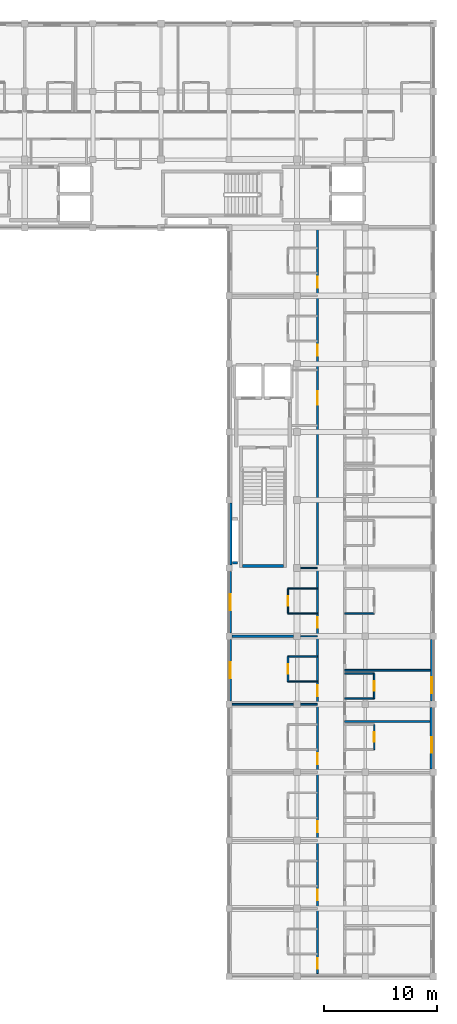
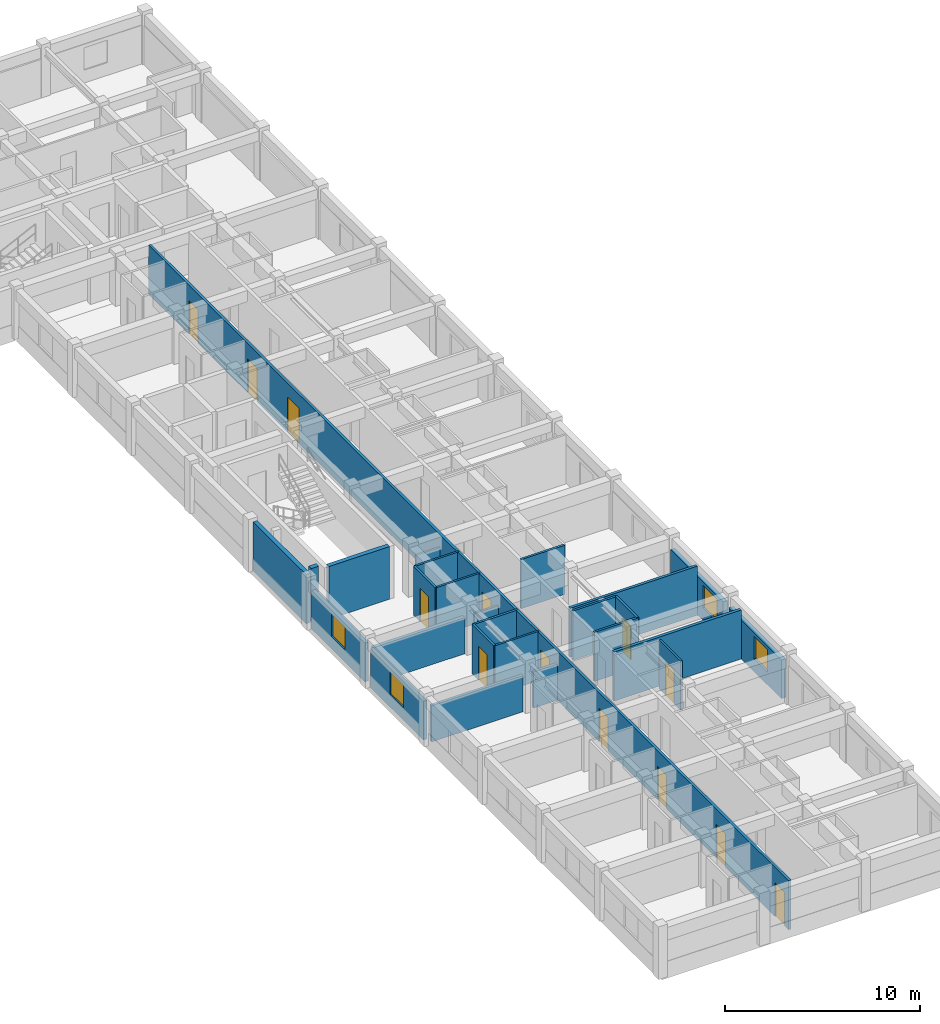
# One storey, part 5 of 21: 26 walls, 13 doors, 4 windows, 17 openings.
"""IFC4 building model written with IfcOpenShell, lengths in metres."""

from ifc_helpers import new_model, si_unit, direction, frame, frame_2d, origin, place, context, subcontext, project, spatial, rectangle, extrude, material, layer, layer_set, type_object, element, fill, save


model = new_model("IFC4")

# Units and contexts
model_context = context("Model", 3, precision=1e-05, world=origin(), true_north=direction((0.0, 1.0)))
body_context = subcontext(model_context, "Body", "Model", "MODEL_VIEW")
ifc_project = project(units=[si_unit("LENGTHUNIT", "METRE"), si_unit("AREAUNIT", "SQUARE_METRE"), si_unit("VOLUMEUNIT", "CUBIC_METRE"), si_unit("PLANEANGLEUNIT", "RADIAN"), si_unit("MASSUNIT", "GRAM", prefix="KILO"), si_unit("THERMODYNAMICTEMPERATUREUNIT", "KELVIN"), si_unit("POWERUNIT", "WATT")], contexts=[model_context])

# Site, building, storey
site_placement = place(None, origin())
site = spatial("IfcSite", under=ifc_project, at=site_placement, CompositionType="ELEMENT")
building_placement = place(site_placement, origin())
building = spatial("IfcBuilding", under=site, at=building_placement, Name="Phaisarnlok Congress Hotel", CompositionType="ELEMENT")
storey_placement = place(building_placement, frame((0.0, 0.0, 31.5)))
storey = spatial("IfcBuildingStorey", under=building, at=storey_placement, Name="L07", CompositionType="ELEMENT", Elevation=31.5)

# Wall, opening, window
ifc_material_1 = material(Name="Concrete C40/50", Category="concrete")
ifc_layer_1 = layer(ifc_material_1, 0.2099609375, Name="Concrete C40/50")
ifc_layer_set_1 = layer_set([ifc_layer_1], Name="Concrete C40/50")
wall_type_1 = type_object("IfcWallType", Name="WL-EXT-210", PredefinedType="SOLIDWALL", material=ifc_layer_set_1)
wall_1_placement = place(storey_placement, frame((162.10498046875, 71.719970703125, 0.0), z_axis=(0.0, 0.0, 1.0), x_axis=(0.0, -1.0, 0.0)))
wall_1 = element("IfcWall", 1, at=wall_1_placement, inside=storey, type_object=wall_type_1, Name="Exterior wall EW-07 (L07)", PredefinedType="SOLIDWALL", context=body_context, shape_type="SweptSolid", body=[
    extrude(rectangle(XDim=5.43994140625, YDim=0.2099609375, at=frame_2d((2.719970703125, 0.0))), origin(), (0.0, 0.0, 1.0), 2.419921875),
])
opening_1_placement = place(wall_1_placement, frame((2.02001953125, 0.0, 0.800048828125)))
opening_1 = element("IfcOpeningElement", 2, at=opening_1_placement, cuts=wall_1, Name="Opening W-13", PredefinedType="OPENING", context=body_context, shape_type="SweptSolid", body=[
    extrude(rectangle(XDim=1.39990234375, YDim=1.39990234375, at=frame_2d((0.699951171875, 0.699951171875))), frame((0.0, 0.114990234375, 0.0), z_axis=(0.0, -1.0, 0.0), x_axis=(1.0, 0.0, 0.0)), (0.0, 0.0, 1.0), 0.22998046875),
])
ifc_material_2 = material(Name="Thermally Broken Aluminium & Low-E Double Glazing", Category="aluminium")
window_type = type_object("IfcWindowType", Name="WIN-POD-1400", PartitioningType="SINGLE_PANEL", PredefinedType="WINDOW", material=ifc_material_2)
window_1_placement = place(opening_1_placement, origin())
window_1 = element("IfcWindow", 3, at=window_1_placement, inside=storey, type_object=window_type, Name="Guestroom window W-13 (L07)", OverallHeight=1.39990234375, OverallWidth=1.39990234375, PartitioningType="SINGLE_PANEL", PredefinedType="WINDOW", context=body_context, shape_type="SweptSolid", body=[
    extrude(rectangle(XDim=1.39990234375, YDim=1.39990234375, at=frame_2d((0.699951171875, 0.699951171875))), frame((0.0, 0.030029296875, 0.0), z_axis=(0.0, -1.0, 0.0), x_axis=(1.0, 0.0, 0.0)), (0.0, 0.0, 1.0), 0.06005859375),
])
fill(opening_1, window_1)

ifc_layer_2 = layer(ifc_material_1, 0.22998046875, Name="Concrete C40/50")
ifc_layer_set_2 = layer_set([ifc_layer_2], Name="Concrete C40/50")
wall_type_2 = type_object("IfcWallType", Name="WL-EXT-230", PredefinedType="SOLIDWALL", material=ifc_layer_set_2)
wall_2_placement = place(storey_placement, frame((162.114990234375, 77.719970703125, 0.0), z_axis=(0.0, 0.0, 1.0), x_axis=(0.0, -1.0, 0.0)))
wall_2 = element("IfcWall", 4, at=wall_2_placement, inside=storey, type_object=wall_type_2, Name="Exterior wall EW-06 (L07)", PredefinedType="SOLIDWALL", context=body_context, shape_type="SweptSolid", body=[
    extrude(rectangle(XDim=5.43994140625, YDim=0.22998046875, at=frame_2d((2.719970703125, 0.0))), origin(), (0.0, 0.0, 1.0), 2.419921875),
])
opening_2_placement = place(wall_2_placement, frame((2.02001953125, 0.0, 0.800048828125)))
opening_2 = element("IfcOpeningElement", 5, at=opening_2_placement, cuts=wall_2, Name="Opening W-13", PredefinedType="OPENING", context=body_context, shape_type="SweptSolid", body=[
    extrude(rectangle(XDim=1.39990234375, YDim=1.39990234375, at=frame_2d((0.699951171875, 0.699951171875))), frame((0.0, 0.125, 0.0), z_axis=(0.0, -1.0, 0.0), x_axis=(1.0, 0.0, 0.0)), (0.0, 0.0, 1.0), 0.25),
])
window_2_placement = place(opening_2_placement, origin())
window_2 = element("IfcWindow", 6, at=window_2_placement, inside=storey, type_object=window_type, Name="Guestroom window W-13 (L07)", OverallHeight=1.39990234375, OverallWidth=1.39990234375, PartitioningType="SINGLE_PANEL", PredefinedType="WINDOW", context=body_context, shape_type="SweptSolid", body=[
    extrude(rectangle(XDim=1.39990234375, YDim=1.39990234375, at=frame_2d((0.699951171875, 0.699951171875))), frame((0.0, 0.030029296875, 0.0), z_axis=(0.0, -1.0, 0.0), x_axis=(1.0, 0.0, 0.0)), (0.0, 0.0, 1.0), 0.06005859375),
])
fill(opening_2, window_2)

ifc_layer_3 = layer(ifc_material_1, 0.25, Name="Concrete C40/50")
ifc_layer_set_3 = layer_set([ifc_layer_3], Name="Concrete C40/50")
wall_type_3 = type_object("IfcWallType", Name="WL-EXT-250", PredefinedType="SOLIDWALL", material=ifc_layer_set_3)
wall_3_placement = place(storey_placement, frame((179.875, 66.304931640625, 0.0), z_axis=(0.0, 0.0, 1.0), x_axis=(0.0, 1.0, 0.0)))
wall_3 = element("IfcWall", 7, at=wall_3_placement, inside=storey, type_object=wall_type_3, Name="Exterior wall EW-05 (L07)", PredefinedType="SOLIDWALL", context=body_context, shape_type="SweptSolid", body=[
    extrude(rectangle(XDim=5.39013671875, YDim=0.25, at=frame_2d((2.695068359375, 0.0))), origin(), (0.0, 0.0, 1.0), 2.419921875),
])
opening_3_placement = place(wall_3_placement, frame((0.656982421875, 0.0, 0.800048828125)))
opening_3 = element("IfcOpeningElement", 8, at=opening_3_placement, cuts=wall_3, Name="Opening W-13", PredefinedType="OPENING", context=body_context, shape_type="SweptSolid", body=[
    extrude(rectangle(XDim=1.39990234375, YDim=1.39990234375, at=frame_2d((0.699951171875, 0.699951171875))), frame((0.0, 0.135009765625, 0.0), z_axis=(0.0, -1.0, 0.0), x_axis=(1.0, 0.0, 0.0)), (0.0, 0.0, 1.0), 0.27001953125),
])
window_3_placement = place(opening_3_placement, origin())
window_3 = element("IfcWindow", 9, at=window_3_placement, inside=storey, type_object=window_type, Name="Guestroom window W-13 (L07)", OverallHeight=1.39990234375, OverallWidth=1.39990234375, PartitioningType="SINGLE_PANEL", PredefinedType="WINDOW", context=body_context, shape_type="SweptSolid", body=[
    extrude(rectangle(XDim=1.39990234375, YDim=1.39990234375, at=frame_2d((0.699951171875, 0.699951171875))), frame((0.0, 0.030029296875, 0.0), z_axis=(0.0, -1.0, 0.0), x_axis=(1.0, 0.0, 0.0)), (0.0, 0.0, 1.0), 0.06005859375),
])
fill(opening_3, window_3)

# Wall
wall_4_placement = place(storey_placement, frame((162.125, 83.719970703125, 0.0), z_axis=(0.0, 0.0, 1.0), x_axis=(0.0, -1.0, 0.0)))
element("IfcWall", 10, at=wall_4_placement, inside=storey, type_object=wall_type_3, Name="Exterior wall EW-05 (L07)", PredefinedType="SOLIDWALL", context=body_context, shape_type="SweptSolid", body=[
    extrude(rectangle(XDim=5.43994140625, YDim=0.25, at=frame_2d((2.719970703125, 0.0))), origin(), (0.0, 0.0, 1.0), 3.070068359375),
])

# Wall, opening, window
ifc_layer_4 = layer(ifc_material_1, 0.27001953125, Name="Concrete C40/50")
ifc_layer_set_4 = layer_set([ifc_layer_4], Name="Concrete C40/50")
wall_type_4 = type_object("IfcWallType", Name="WL-EXT-270", PredefinedType="SOLIDWALL", material=ifc_layer_set_4)
wall_5_placement = place(storey_placement, frame((179.864990234375, 60.304931640625, 0.0), z_axis=(0.0, 0.0, 1.0), x_axis=(0.0, 1.0, 0.0)))
wall_5 = element("IfcWall", 11, at=wall_5_placement, inside=storey, type_object=wall_type_4, Name="Exterior wall EW-04 (L07)", PredefinedType="SOLIDWALL", context=body_context, shape_type="SweptSolid", body=[
    extrude(rectangle(XDim=5.39013671875, YDim=0.27001953125, at=frame_2d((2.695068359375, 0.0))), origin(), (0.0, 0.0, 1.0), 2.419921875),
])
opening_4_placement = place(wall_5_placement, frame((1.406982421875, 0.0, 0.800048828125)))
opening_4 = element("IfcOpeningElement", 12, at=opening_4_placement, cuts=wall_5, Name="Opening W-13", PredefinedType="OPENING", context=body_context, shape_type="SweptSolid", body=[
    extrude(rectangle(XDim=1.39990234375, YDim=1.39990234375, at=frame_2d((0.699951171875, 0.699951171875))), frame((0.0, 0.14501953125, 0.0), z_axis=(0.0, -1.0, 0.0), x_axis=(1.0, 0.0, 0.0)), (0.0, 0.0, 1.0), 0.2900390625),
])
window_4_placement = place(opening_4_placement, origin())
window_4 = element("IfcWindow", 13, at=window_4_placement, inside=storey, type_object=window_type, Name="Guestroom window W-13 (L07)", OverallHeight=1.39990234375, OverallWidth=1.39990234375, PartitioningType="SINGLE_PANEL", PredefinedType="WINDOW", context=body_context, shape_type="SweptSolid", body=[
    extrude(rectangle(XDim=1.39990234375, YDim=1.39990234375, at=frame_2d((0.699951171875, 0.699951171875))), frame((0.0, 0.030029296875, 0.0), z_axis=(0.0, -1.0, 0.0), x_axis=(1.0, 0.0, 0.0)), (0.0, 0.0, 1.0), 0.06005859375),
])
fill(opening_4, window_4)

# Walls
ifc_material_3 = material(Name="Service Riser Shaftwall Partition", Category="gypsum")
ifc_layer_5 = layer(ifc_material_3, 0.10498046875, Name="Service Riser Shaftwall Partition")
ifc_layer_set_5 = layer_set([ifc_layer_5], Name="Service Riser Shaftwall Partition")
wall_type_5 = type_object("IfcWallType", Name="WL-INT-105", PredefinedType="PARTITIONING", material=ifc_layer_set_5)
for number, where, z_axis, x_axis, name in (
    (14, (168.304931640625, 72.0, 0.0), (0.0, 0.0, 1.0), (1.0, 0.0, 0.0), "Interior partition wall IW-08 (L07)"),
    (15, (168.304931640625, 78.0, 0.0), (0.0, 0.0, 1.0), (1.0, 0.0, 0.0), "Interior partition wall IW-08 (L07)"),
):
    element("IfcWall", number, at=place(storey_placement, frame(where, z_axis=z_axis, x_axis=x_axis)), inside=storey, type_object=wall_type_5, Name=name, PredefinedType="PARTITIONING", context=body_context, shape_type="SweptSolid", body=[
        extrude(rectangle(XDim=1.4951171875, YDim=0.10498046875, at=frame_2d((0.74755859375, 0.0))), origin(), (0.0, 0.0, 1.0), 2.27001953125),
    ])

# Wall, opening, door
ifc_material_4 = material(Name="Lightweight Metal-Stud Gypsum Partition", Category="gypsum")
ifc_layer_6 = layer(ifc_material_4, 0.1201171875, Name="Lightweight Metal-Stud Gypsum Partition")
ifc_layer_set_6 = layer_set([ifc_layer_6], Name="Lightweight Metal-Stud Gypsum Partition")
wall_type_6 = type_object("IfcWallType", Name="WL-INT-120", PredefinedType="PARTITIONING", material=ifc_layer_set_6)
wall_6_placement = place(storey_placement, frame((167.199951171875, 74.0, 0.0), z_axis=(0.0, 0.0, 1.0), x_axis=(0.0, 1.0, 0.0)))
wall_6 = element("IfcWall", 16, at=wall_6_placement, inside=storey, type_object=wall_type_6, Name="Interior partition wall IW-07 (L07)", PredefinedType="PARTITIONING", context=body_context, shape_type="SweptSolid", body=[
    extrude(rectangle(XDim=2.199951171875, YDim=0.1201171875, at=frame_2d((1.10009765625, 0.0))), origin(), (0.0, 0.0, 1.0), 3.070068359375),
])
opening_5_placement = place(wall_6_placement, frame((0.675048828125, 0.0, 0.0)))
opening_5 = element("IfcOpeningElement", 17, at=opening_5_placement, cuts=wall_6, Name="Opening D-0392", PredefinedType="OPENING", context=body_context, shape_type="SweptSolid", body=[
    extrude(rectangle(XDim=0.85009765625, YDim=2.10009765625, at=frame_2d((0.425048828125, 1.050048828125))), frame((0.0, 0.070068359375, 0.0), z_axis=(0.0, -1.0, 0.0), x_axis=(1.0, 0.0, 0.0)), (0.0, 0.0, 1.0), 0.14013671875),
])
ifc_material_5 = material(Name="Moisture-Resistant Lacquered Timber", Category="wood")
door_type_1 = type_object("IfcDoorType", Name="DR-BATH-850", OperationType="NOTDEFINED", PredefinedType="DOOR", material=ifc_material_5)
door_1_placement = place(opening_5_placement, origin())
door_1 = element("IfcDoor", 18, at=door_1_placement, inside=storey, type_object=door_type_1, Name="Interior door D-0392 (L07)", OperationType="SINGLE_SWING_RIGHT", OverallHeight=2.10009765625, OverallWidth=0.85009765625, PredefinedType="DOOR", context=body_context, shape_type="SweptSolid", body=[
    extrude(rectangle(XDim=0.85009765625, YDim=2.10009765625, at=frame_2d((0.425048828125, 1.050048828125))), frame((0.0, 0.02490234375, 0.0), z_axis=(0.0, -1.0, 0.0), x_axis=(1.0, 0.0, 0.0)), (0.0, 0.0, 1.0), 0.050048828125),
])
fill(opening_5, door_1)

wall_7_placement = place(storey_placement, frame((174.800048828125, 62.0, 0.0), z_axis=(0.0, 0.0, 1.0), x_axis=(0.0, 1.0, 0.0)))
wall_7 = element("IfcWall", 19, at=wall_7_placement, inside=storey, type_object=wall_type_6, Name="Interior partition wall IW-07 (L07)", PredefinedType="PARTITIONING", context=body_context, shape_type="SweptSolid", body=[
    extrude(rectangle(XDim=2.199951171875, YDim=0.1201171875, at=frame_2d((1.10009765625, 0.0))), origin(), (0.0, 0.0, 1.0), 3.070068359375),
])
opening_6_placement = place(wall_7_placement, frame((0.675048828125, 0.0, 0.0)))
opening_6 = element("IfcOpeningElement", 20, at=opening_6_placement, cuts=wall_7, Name="Opening D-0365", PredefinedType="OPENING", context=body_context, shape_type="SweptSolid", body=[
    extrude(rectangle(XDim=0.85009765625, YDim=2.10009765625, at=frame_2d((0.425048828125, 1.050048828125))), frame((0.0, 0.070068359375, 0.0), z_axis=(0.0, -1.0, 0.0), x_axis=(1.0, 0.0, 0.0)), (0.0, 0.0, 1.0), 0.14013671875),
])
door_2_placement = place(opening_6_placement, origin())
door_2 = element("IfcDoor", 21, at=door_2_placement, inside=storey, type_object=door_type_1, Name="Interior door D-0365 (L07)", OperationType="SINGLE_SWING_LEFT", OverallHeight=2.10009765625, OverallWidth=0.85009765625, PredefinedType="DOOR", context=body_context, shape_type="SweptSolid", body=[
    extrude(rectangle(XDim=0.85009765625, YDim=2.10009765625, at=frame_2d((0.425048828125, 1.050048828125))), frame((0.0, 0.02490234375, 0.0), z_axis=(0.0, -1.0, 0.0), x_axis=(1.0, 0.0, 0.0)), (0.0, 0.0, 1.0), 0.050048828125),
])
fill(opening_6, door_2)

# Walls
for number, where, z_axis, x_axis, name in (
    (22, (167.199951171875, 68.0, 0.0), (0.0, 0.0, 1.0), (1.0, 0.0, 0.0), "Interior partition wall IW-07 (L07)"),
    (23, (167.199951171875, 74.0, 0.0), (0.0, 0.0, 1.0), (1.0, 0.0, 0.0), "Interior partition wall IW-07 (L07)"),
    (24, (167.199951171875, 76.199951171875, 0.0), (0.0, 0.0, 1.0), (1.0, 0.0, 0.0), "Interior partition wall IW-07 (L07)"),
):
    element("IfcWall", number, at=place(storey_placement, frame(where, z_axis=z_axis, x_axis=x_axis)), inside=storey, type_object=wall_type_6, Name=name, PredefinedType="PARTITIONING", context=body_context, shape_type="SweptSolid", body=[
        extrude(rectangle(XDim=2.60009765625, YDim=0.1201171875, at=frame_2d((1.300048828125, 0.0))), origin(), (0.0, 0.0, 1.0), 3.070068359375),
    ])

# Wall, opening, door
ifc_material_6 = material(Name="Moisture-Resistant Gypsum Partition", Category="gypsum")
ifc_layer_7 = layer(ifc_material_6, 0.135009765625, Name="Moisture-Resistant Gypsum Partition")
ifc_layer_set_7 = layer_set([ifc_layer_7], Name="Moisture-Resistant Gypsum Partition")
wall_type_7 = type_object("IfcWallType", Name="WL-INT-135", PredefinedType="PARTITIONING", material=ifc_layer_set_7)
wall_8_placement = place(storey_placement, frame((167.199951171875, 68.0, 0.0), z_axis=(0.0, 0.0, 1.0), x_axis=(0.0, 1.0, 0.0)))
wall_8 = element("IfcWall", 25, at=wall_8_placement, inside=storey, type_object=wall_type_7, Name="Interior partition wall IW-06 (L07)", PredefinedType="PARTITIONING", context=body_context, shape_type="SweptSolid", body=[
    extrude(rectangle(XDim=2.199951171875, YDim=0.135009765625, at=frame_2d((1.10009765625, 0.0))), origin(), (0.0, 0.0, 1.0), 3.070068359375),
])
opening_7_placement = place(wall_8_placement, frame((0.675048828125, 0.0, 0.0)))
opening_7 = element("IfcOpeningElement", 26, at=opening_7_placement, cuts=wall_8, Name="Opening D-0390", PredefinedType="OPENING", context=body_context, shape_type="SweptSolid", body=[
    extrude(rectangle(XDim=0.85009765625, YDim=2.10009765625, at=frame_2d((0.425048828125, 1.050048828125))), frame((0.0, 0.07763671875, 0.0), z_axis=(0.0, -1.0, 0.0), x_axis=(1.0, 0.0, 0.0)), (0.0, 0.0, 1.0), 0.155029296875),
])
door_3_placement = place(opening_7_placement, origin())
door_3 = element("IfcDoor", 27, at=door_3_placement, inside=storey, type_object=door_type_1, Name="Interior door D-0390 (L07)", OperationType="SINGLE_SWING_RIGHT", OverallHeight=2.10009765625, OverallWidth=0.85009765625, PredefinedType="DOOR", context=body_context, shape_type="SweptSolid", body=[
    extrude(rectangle(XDim=0.85009765625, YDim=2.10009765625, at=frame_2d((0.425048828125, 1.050048828125))), frame((0.0, 0.02490234375, 0.0), z_axis=(0.0, -1.0, 0.0), x_axis=(1.0, 0.0, 0.0)), (0.0, 0.0, 1.0), 0.050048828125),
])
fill(opening_7, door_3)

wall_9_placement = place(storey_placement, frame((174.800048828125, 66.5, 0.0), z_axis=(0.0, 0.0, 1.0), x_axis=(0.0, 1.0, 0.0)))
wall_9 = element("IfcWall", 28, at=wall_9_placement, inside=storey, type_object=wall_type_7, Name="Interior partition wall IW-06 (L07)", PredefinedType="PARTITIONING", context=body_context, shape_type="SweptSolid", body=[
    extrude(rectangle(XDim=2.199951171875, YDim=0.135009765625, at=frame_2d((1.10009765625, 0.0))), origin(), (0.0, 0.0, 1.0), 3.070068359375),
])
opening_8_placement = place(wall_9_placement, frame((0.675048828125, 0.0, 0.0)))
opening_8 = element("IfcOpeningElement", 29, at=opening_8_placement, cuts=wall_9, Name="Opening D-0367", PredefinedType="OPENING", context=body_context, shape_type="SweptSolid", body=[
    extrude(rectangle(XDim=0.85009765625, YDim=2.10009765625, at=frame_2d((0.425048828125, 1.050048828125))), frame((0.0, 0.07763671875, 0.0), z_axis=(0.0, -1.0, 0.0), x_axis=(1.0, 0.0, 0.0)), (0.0, 0.0, 1.0), 0.155029296875),
])
door_4_placement = place(opening_8_placement, origin())
door_4 = element("IfcDoor", 30, at=door_4_placement, inside=storey, type_object=door_type_1, Name="Interior door D-0367 (L07)", OperationType="SINGLE_SWING_LEFT", OverallHeight=2.10009765625, OverallWidth=0.85009765625, PredefinedType="DOOR", context=body_context, shape_type="SweptSolid", body=[
    extrude(rectangle(XDim=0.85009765625, YDim=2.10009765625, at=frame_2d((0.425048828125, 1.050048828125))), frame((0.0, 0.02490234375, 0.0), z_axis=(0.0, -1.0, 0.0), x_axis=(1.0, 0.0, 0.0)), (0.0, 0.0, 1.0), 0.050048828125),
])
fill(opening_8, door_4)

# Walls
for number, where, z_axis, x_axis, name in (
    (31, (172.199951171875, 66.5, 0.0), (0.0, 0.0, 1.0), (1.0, 0.0, 0.0), "Interior partition wall IW-06 (L07)"),
    (32, (172.199951171875, 68.699951171875, 0.0), (0.0, 0.0, 1.0), (1.0, 0.0, 0.0), "Interior partition wall IW-06 (L07)"),
    (33, (167.199951171875, 70.199951171875, 0.0), (0.0, 0.0, 1.0), (1.0, 0.0, 0.0), "Interior partition wall IW-06 (L07)"),
    (34, (172.199951171875, 74.0, 0.0), (0.0, 0.0, 1.0), (1.0, 0.0, 0.0), "Interior partition wall IW-06 (L07)"),
):
    element("IfcWall", number, at=place(storey_placement, frame(where, z_axis=z_axis, x_axis=x_axis)), inside=storey, type_object=wall_type_7, Name=name, PredefinedType="PARTITIONING", context=body_context, shape_type="SweptSolid", body=[
        extrude(rectangle(XDim=2.60009765625, YDim=0.135009765625, at=frame_2d((1.300048828125, 0.0))), origin(), (0.0, 0.0, 1.0), 3.070068359375),
    ])

# Wall, openings, doors
ifc_material_7 = material(Name="Acoustic Gypsum Board & Mineral Wool", Category="gypsum")
ifc_layer_8 = layer(ifc_material_7, 0.14990234375, Name="Acoustic Gypsum Board & Mineral Wool")
ifc_layer_set_8 = layer_set([ifc_layer_8], Name="Acoustic Gypsum Board & Mineral Wool")
wall_type_8 = type_object("IfcWallType", Name="WL-INT-150", PredefinedType="PARTITIONING", material=ifc_layer_set_8)
wall_10_placement = place(storey_placement, frame((169.800048828125, 42.2548828125, 0.0), z_axis=(0.0, 0.0, 1.0), x_axis=(0.0, 1.0, 0.0)))
wall_10 = element("IfcWall", 35, at=wall_10_placement, inside=storey, type_object=wall_type_8, Name="Interior partition wall IW-05 (L07)", PredefinedType="PARTITIONING", context=body_context, shape_type="SweptSolid", body=[
    extrude(rectangle(XDim=65.565185546875, YDim=0.14990234375, at=frame_2d((32.78271484375, 0.0))), origin(), (0.0, 0.0, 1.0), 3.070068359375),
])
opening_9_placement = place(wall_10_placement, frame((50.14501953125, 0.0, 0.0)))
opening_9 = element("IfcOpeningElement", 36, at=opening_9_placement, cuts=wall_10, Name="Opening D-0318", PredefinedType="OPENING", context=body_context, shape_type="SweptSolid", body=[
    extrude(rectangle(XDim=1.199951171875, YDim=2.199951171875, at=frame_2d((0.60009765625, 1.10009765625))), frame((0.0, 0.0849609375, 0.0), z_axis=(0.0, -1.0, 0.0), x_axis=(1.0, 0.0, 0.0)), (0.0, 0.0, 1.0), 0.169921875),
])
opening_10_placement = place(wall_10_placement, frame((0.419921875, 0.0, 0.0)))
opening_10 = element("IfcOpeningElement", 37, at=opening_10_placement, cuts=wall_10, Name="Opening D-0383", PredefinedType="OPENING", context=body_context, shape_type="SweptSolid", body=[
    extrude(rectangle(XDim=0.949951171875, YDim=2.10009765625, at=frame_2d((0.47509765625, 1.050048828125))), frame((0.0, 0.0849609375, 0.0), z_axis=(0.0, -1.0, 0.0), x_axis=(1.0, 0.0, 0.0)), (0.0, 0.0, 1.0), 0.169921875),
])
opening_11_placement = place(wall_10_placement, frame((6.469970703125, 0.0, 0.0)))
opening_11 = element("IfcOpeningElement", 38, at=opening_11_placement, cuts=wall_10, Name="Opening D-0385", PredefinedType="OPENING", context=body_context, shape_type="SweptSolid", body=[
    extrude(rectangle(XDim=0.949951171875, YDim=2.10009765625, at=frame_2d((0.47509765625, 1.050048828125))), frame((0.0, 0.0849609375, 0.0), z_axis=(0.0, -1.0, 0.0), x_axis=(1.0, 0.0, 0.0)), (0.0, 0.0, 1.0), 0.169921875),
])
opening_12_placement = place(wall_10_placement, frame((12.469970703125, 0.0, 0.0)))
opening_12 = element("IfcOpeningElement", 39, at=opening_12_placement, cuts=wall_10, Name="Opening D-0387", PredefinedType="OPENING", context=body_context, shape_type="SweptSolid", body=[
    extrude(rectangle(XDim=0.949951171875, YDim=2.10009765625, at=frame_2d((0.47509765625, 1.050048828125))), frame((0.0, 0.0849609375, 0.0), z_axis=(0.0, -1.0, 0.0), x_axis=(1.0, 0.0, 0.0)), (0.0, 0.0, 1.0), 0.169921875),
])
opening_13_placement = place(wall_10_placement, frame((18.469970703125, 0.0, 0.0)))
opening_13 = element("IfcOpeningElement", 40, at=opening_13_placement, cuts=wall_10, Name="Opening D-0389", PredefinedType="OPENING", context=body_context, shape_type="SweptSolid", body=[
    extrude(rectangle(XDim=0.949951171875, YDim=2.10009765625, at=frame_2d((0.47509765625, 1.050048828125))), frame((0.0, 0.0849609375, 0.0), z_axis=(0.0, -1.0, 0.0), x_axis=(1.0, 0.0, 0.0)), (0.0, 0.0, 1.0), 0.169921875),
])
opening_14_placement = place(wall_10_placement, frame((24.469970703125, 0.0, 0.0)))
opening_14 = element("IfcOpeningElement", 41, at=opening_14_placement, cuts=wall_10, Name="Opening D-0391", PredefinedType="OPENING", context=body_context, shape_type="SweptSolid", body=[
    extrude(rectangle(XDim=0.949951171875, YDim=2.10009765625, at=frame_2d((0.47509765625, 1.050048828125))), frame((0.0, 0.0849609375, 0.0), z_axis=(0.0, -1.0, 0.0), x_axis=(1.0, 0.0, 0.0)), (0.0, 0.0, 1.0), 0.169921875),
])
opening_15_placement = place(wall_10_placement, frame((30.469970703125, 0.0, 0.0)))
opening_15 = element("IfcOpeningElement", 42, at=opening_15_placement, cuts=wall_10, Name="Opening D-0393", PredefinedType="OPENING", context=body_context, shape_type="SweptSolid", body=[
    extrude(rectangle(XDim=0.949951171875, YDim=2.10009765625, at=frame_2d((0.47509765625, 1.050048828125))), frame((0.0, 0.0849609375, 0.0), z_axis=(0.0, -1.0, 0.0), x_axis=(1.0, 0.0, 0.0)), (0.0, 0.0, 1.0), 0.169921875),
])
opening_16_placement = place(wall_10_placement, frame((54.469970703125, 0.0, 0.0)))
opening_16 = element("IfcOpeningElement", 43, at=opening_16_placement, cuts=wall_10, Name="Opening D-0395", PredefinedType="OPENING", context=body_context, shape_type="SweptSolid", body=[
    extrude(rectangle(XDim=0.949951171875, YDim=2.10009765625, at=frame_2d((0.47509765625, 1.050048828125))), frame((0.0, 0.0849609375, 0.0), z_axis=(0.0, -1.0, 0.0), x_axis=(1.0, 0.0, 0.0)), (0.0, 0.0, 1.0), 0.169921875),
])
opening_17_placement = place(wall_10_placement, frame((60.469970703125, 0.0, 0.0)))
opening_17 = element("IfcOpeningElement", 44, at=opening_17_placement, cuts=wall_10, Name="Opening D-0397", PredefinedType="OPENING", context=body_context, shape_type="SweptSolid", body=[
    extrude(rectangle(XDim=0.949951171875, YDim=2.10009765625, at=frame_2d((0.47509765625, 1.050048828125))), frame((0.0, 0.0849609375, 0.0), z_axis=(0.0, -1.0, 0.0), x_axis=(1.0, 0.0, 0.0)), (0.0, 0.0, 1.0), 0.169921875),
])
ifc_material_8 = material(Name="Acoustic Solid-Core Teak Veneer", Category="wood")
door_type_2 = type_object("IfcDoorType", Name="DR-FD30-950", OperationType="NOTDEFINED", PredefinedType="DOOR", material=ifc_material_8)
door_5_placement = place(opening_10_placement, origin())
door_5 = element("IfcDoor", 45, at=door_5_placement, inside=storey, type_object=door_type_2, Name="Interior door D-0383 (L07)", OperationType="SINGLE_SWING_LEFT", OverallHeight=2.10009765625, OverallWidth=0.949951171875, PredefinedType="DOOR", context=body_context, shape_type="SweptSolid", body=[
    extrude(rectangle(XDim=0.949951171875, YDim=2.10009765625, at=frame_2d((0.47509765625, 1.050048828125))), frame((0.0, 0.02490234375, 0.0), z_axis=(0.0, -1.0, 0.0), x_axis=(1.0, 0.0, 0.0)), (0.0, 0.0, 1.0), 0.050048828125),
])
fill(opening_10, door_5)
door_6_placement = place(opening_11_placement, origin())
door_6 = element("IfcDoor", 46, at=door_6_placement, inside=storey, type_object=door_type_2, Name="Interior door D-0385 (L07)", OperationType="SINGLE_SWING_LEFT", OverallHeight=2.10009765625, OverallWidth=0.949951171875, PredefinedType="DOOR", context=body_context, shape_type="SweptSolid", body=[
    extrude(rectangle(XDim=0.949951171875, YDim=2.10009765625, at=frame_2d((0.47509765625, 1.050048828125))), frame((0.0, 0.02490234375, 0.0), z_axis=(0.0, -1.0, 0.0), x_axis=(1.0, 0.0, 0.0)), (0.0, 0.0, 1.0), 0.050048828125),
])
fill(opening_11, door_6)
door_7_placement = place(opening_12_placement, origin())
door_7 = element("IfcDoor", 47, at=door_7_placement, inside=storey, type_object=door_type_2, Name="Interior door D-0387 (L07)", OperationType="SINGLE_SWING_LEFT", OverallHeight=2.10009765625, OverallWidth=0.949951171875, PredefinedType="DOOR", context=body_context, shape_type="SweptSolid", body=[
    extrude(rectangle(XDim=0.949951171875, YDim=2.10009765625, at=frame_2d((0.47509765625, 1.050048828125))), frame((0.0, 0.02490234375, 0.0), z_axis=(0.0, -1.0, 0.0), x_axis=(1.0, 0.0, 0.0)), (0.0, 0.0, 1.0), 0.050048828125),
])
fill(opening_12, door_7)
door_8_placement = place(opening_13_placement, origin())
door_8 = element("IfcDoor", 48, at=door_8_placement, inside=storey, type_object=door_type_2, Name="Interior door D-0389 (L07)", OperationType="SINGLE_SWING_LEFT", OverallHeight=2.10009765625, OverallWidth=0.949951171875, PredefinedType="DOOR", context=body_context, shape_type="SweptSolid", body=[
    extrude(rectangle(XDim=0.949951171875, YDim=2.10009765625, at=frame_2d((0.47509765625, 1.050048828125))), frame((0.0, 0.02490234375, 0.0), z_axis=(0.0, -1.0, 0.0), x_axis=(1.0, 0.0, 0.0)), (0.0, 0.0, 1.0), 0.050048828125),
])
fill(opening_13, door_8)
door_9_placement = place(opening_14_placement, origin())
door_9 = element("IfcDoor", 49, at=door_9_placement, inside=storey, type_object=door_type_2, Name="Interior door D-0391 (L07)", OperationType="SINGLE_SWING_LEFT", OverallHeight=2.10009765625, OverallWidth=0.949951171875, PredefinedType="DOOR", context=body_context, shape_type="SweptSolid", body=[
    extrude(rectangle(XDim=0.949951171875, YDim=2.10009765625, at=frame_2d((0.47509765625, 1.050048828125))), frame((0.0, 0.02490234375, 0.0), z_axis=(0.0, -1.0, 0.0), x_axis=(1.0, 0.0, 0.0)), (0.0, 0.0, 1.0), 0.050048828125),
])
fill(opening_14, door_9)
door_10_placement = place(opening_15_placement, origin())
door_10 = element("IfcDoor", 50, at=door_10_placement, inside=storey, type_object=door_type_2, Name="Interior door D-0393 (L07)", OperationType="SINGLE_SWING_LEFT", OverallHeight=2.10009765625, OverallWidth=0.949951171875, PredefinedType="DOOR", context=body_context, shape_type="SweptSolid", body=[
    extrude(rectangle(XDim=0.949951171875, YDim=2.10009765625, at=frame_2d((0.47509765625, 1.050048828125))), frame((0.0, 0.02490234375, 0.0), z_axis=(0.0, -1.0, 0.0), x_axis=(1.0, 0.0, 0.0)), (0.0, 0.0, 1.0), 0.050048828125),
])
fill(opening_15, door_10)
door_11_placement = place(opening_16_placement, origin())
door_11 = element("IfcDoor", 51, at=door_11_placement, inside=storey, type_object=door_type_2, Name="Interior door D-0395 (L07)", OperationType="SINGLE_SWING_LEFT", OverallHeight=2.10009765625, OverallWidth=0.949951171875, PredefinedType="DOOR", context=body_context, shape_type="SweptSolid", body=[
    extrude(rectangle(XDim=0.949951171875, YDim=2.10009765625, at=frame_2d((0.47509765625, 1.050048828125))), frame((0.0, 0.02490234375, 0.0), z_axis=(0.0, -1.0, 0.0), x_axis=(1.0, 0.0, 0.0)), (0.0, 0.0, 1.0), 0.050048828125),
])
fill(opening_16, door_11)
door_12_placement = place(opening_17_placement, origin())
door_12 = element("IfcDoor", 52, at=door_12_placement, inside=storey, type_object=door_type_2, Name="Interior door D-0397 (L07)", OperationType="SINGLE_SWING_LEFT", OverallHeight=2.10009765625, OverallWidth=0.949951171875, PredefinedType="DOOR", context=body_context, shape_type="SweptSolid", body=[
    extrude(rectangle(XDim=0.949951171875, YDim=2.10009765625, at=frame_2d((0.47509765625, 1.050048828125))), frame((0.0, 0.02490234375, 0.0), z_axis=(0.0, -1.0, 0.0), x_axis=(1.0, 0.0, 0.0)), (0.0, 0.0, 1.0), 0.050048828125),
])
fill(opening_17, door_12)
ifc_material_9 = material(Name="Fire-Rated Steel Frame & Timber Leaf", Category="steel")
door_type_3 = type_object("IfcDoorType", Name="DR-FD60-1200", OperationType="NOTDEFINED", PredefinedType="DOOR", material=ifc_material_9)
door_13_placement = place(opening_9_placement, origin())
door_13 = element("IfcDoor", 53, at=door_13_placement, inside=storey, type_object=door_type_3, Name="Interior door D-0318 (L07)", OperationType="SINGLE_SWING_LEFT", OverallHeight=2.199951171875, OverallWidth=1.199951171875, PredefinedType="DOOR", context=body_context, shape_type="SweptSolid", body=[
    extrude(rectangle(XDim=1.199951171875, YDim=2.199951171875, at=frame_2d((0.60009765625, 1.10009765625))), frame((0.0, 0.02490234375, 0.0), z_axis=(0.0, -1.0, 0.0), x_axis=(1.0, 0.0, 0.0)), (0.0, 0.0, 1.0), 0.050048828125),
])
fill(opening_9, door_13)

# Walls
wall_11_placement = place(storey_placement, frame((168.304931640625, 66.0, 0.0), z_axis=(0.0, 0.0, 1.0), x_axis=(1.0, 0.0, 0.0)))
element("IfcWall", 54, at=wall_11_placement, inside=storey, type_object=wall_type_8, Name="Interior partition wall IW-05 (L07)", PredefinedType="PARTITIONING", context=body_context, shape_type="SweptSolid", body=[
    extrude(rectangle(XDim=1.4951171875, YDim=0.14990234375, at=frame_2d((0.74755859375, 0.0))), origin(), (0.0, 0.0, 1.0), 2.27001953125),
])
ifc_material_10 = material(Name="Double-Stud Acoustic Gypsum Partition", Category="gypsum")
ifc_layer_9 = layer(ifc_material_10, 0.159912109375, Name="Double-Stud Acoustic Gypsum Partition")
ifc_layer_set_9 = layer_set([ifc_layer_9], Name="Double-Stud Acoustic Gypsum Partition")
wall_type_9 = type_object("IfcWallType", Name="WL-INT-160", PredefinedType="PARTITIONING", material=ifc_layer_set_9)
wall_12_placement = place(storey_placement, frame((162.280029296875, 66.0, 0.0), z_axis=(0.0, 0.0, 1.0), x_axis=(1.0, 0.0, 0.0)))
element("IfcWall", 55, at=wall_12_placement, inside=storey, type_object=wall_type_9, Name="Interior partition wall IW-04 (L07)", PredefinedType="PARTITIONING", context=body_context, shape_type="SweptSolid", body=[
    extrude(rectangle(XDim=5.4150390625, YDim=0.159912109375, at=frame_2d((2.70751953125, 0.0))), origin(), (0.0, 0.0, 1.0), 2.27001953125),
])
wall_13_placement = place(storey_placement, frame((172.199951171875, 69.0, 0.0), z_axis=(0.0, 0.0, 1.0), x_axis=(1.0, 0.0, 0.0)))
element("IfcWall", 56, at=wall_13_placement, inside=storey, type_object=wall_type_9, Name="Interior partition wall IW-04 (L07)", PredefinedType="PARTITIONING", context=body_context, shape_type="SweptSolid", body=[
    extrude(rectangle(XDim=7.545166015625, YDim=0.159912109375, at=frame_2d((3.7724609375, 0.0))), origin(), (0.0, 0.0, 1.0), 3.070068359375),
])
ifc_material_11 = material(Name="Autoclaved Aerated Concrete Block", Category="concrete")
ifc_layer_10 = layer(ifc_material_11, 0.179931640625, Name="Autoclaved Aerated Concrete Block")
ifc_layer_set_10 = layer_set([ifc_layer_10], Name="Autoclaved Aerated Concrete Block")
wall_type_10 = type_object("IfcWallType", Name="WL-INT-180", PredefinedType="PARTITIONING", material=ifc_layer_set_10)
wall_14_placement = place(storey_placement, frame((172.199951171875, 64.5, 0.0), z_axis=(0.0, 0.0, 1.0), x_axis=(1.0, 0.0, 0.0)))
element("IfcWall", 57, at=wall_14_placement, inside=storey, type_object=wall_type_10, Name="Interior partition wall IW-03 (L07)", PredefinedType="PARTITIONING", context=body_context, shape_type="SweptSolid", body=[
    extrude(rectangle(XDim=7.525146484375, YDim=0.179931640625, at=frame_2d((3.7626953125, 0.0))), origin(), (0.0, 0.0, 1.0), 3.070068359375),
])
ifc_layer_11 = layer(ifc_material_11, 0.199951171875, Name="Autoclaved Aerated Concrete Block")
ifc_layer_set_11 = layer_set([ifc_layer_11], Name="Autoclaved Aerated Concrete Block")
wall_type_11 = type_object("IfcWallType", Name="WL-INT-200", PredefinedType="PARTITIONING", material=ifc_layer_set_11)
wall_15_placement = place(storey_placement, frame((162.280029296875, 72.0, 0.0), z_axis=(0.0, 0.0, 1.0), x_axis=(1.0, 0.0, 0.0)))
element("IfcWall", 58, at=wall_15_placement, inside=storey, type_object=wall_type_11, Name="Interior partition wall IW-02 (L07)", PredefinedType="PARTITIONING", context=body_context, shape_type="SweptSolid", body=[
    extrude(rectangle(XDim=5.4150390625, YDim=0.199951171875, at=frame_2d((2.70751953125, 0.0))), origin(), (0.0, 0.0, 1.0), 2.27001953125),
])
ifc_material_12 = material(Name="Concrete C50/60", Category="concrete")
ifc_layer_12 = layer(ifc_material_12, 0.260009765625, Name="Concrete C50/60")
ifc_layer_set_12 = layer_set([ifc_layer_12], Name="Concrete C50/60")
wall_type_12 = type_object("IfcWallType", Name="WL-SHR-260", PredefinedType="SHEAR", material=ifc_layer_set_12)
wall_16_placement = place(storey_placement, frame((163.199951171875, 78.169921875, 0.0), z_axis=(0.0, 0.0, 1.0), x_axis=(1.0, 0.0, 0.0)))
element("IfcWall", 59, at=wall_16_placement, inside=storey, type_object=wall_type_12, Name="Stair shaft shear wall SW-04 (CORE-3 L07)", PredefinedType="SHEAR", context=body_context, shape_type="SweptSolid", body=[
    extrude(rectangle(XDim=3.60009765625, YDim=0.260009765625, at=frame_2d((1.800048828125, 0.0))), origin(), (0.0, 0.0, 1.0), 3.300048828125),
])
wall_17_placement = place(storey_placement, frame((162.330078125, 78.469970703125, 0.0), z_axis=(0.0, 0.0, 1.0), x_axis=(1.0, 0.0, 0.0)))
element("IfcWall", 60, at=wall_17_placement, inside=storey, type_object=wall_type_12, Name="Service riser shaft wall SW-04 (CORE-3 L07)", PredefinedType="SHEAR", context=body_context, shape_type="SweptSolid", body=[
    extrude(rectangle(XDim=0.43994140625, YDim=0.260009765625, at=frame_2d((0.219970703125, 0.0))), origin(), (0.0, 0.0, 1.0), 3.300048828125),
])

save(model, "model.ifc")
